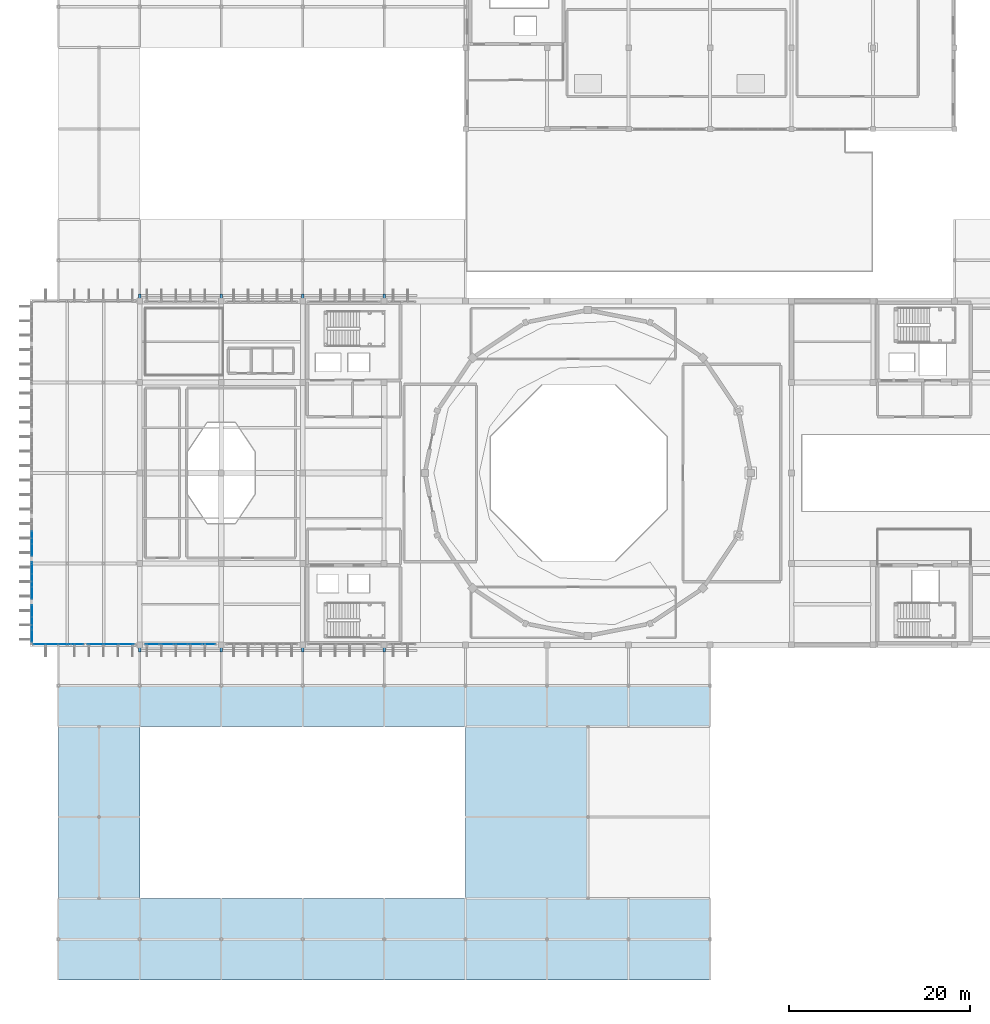
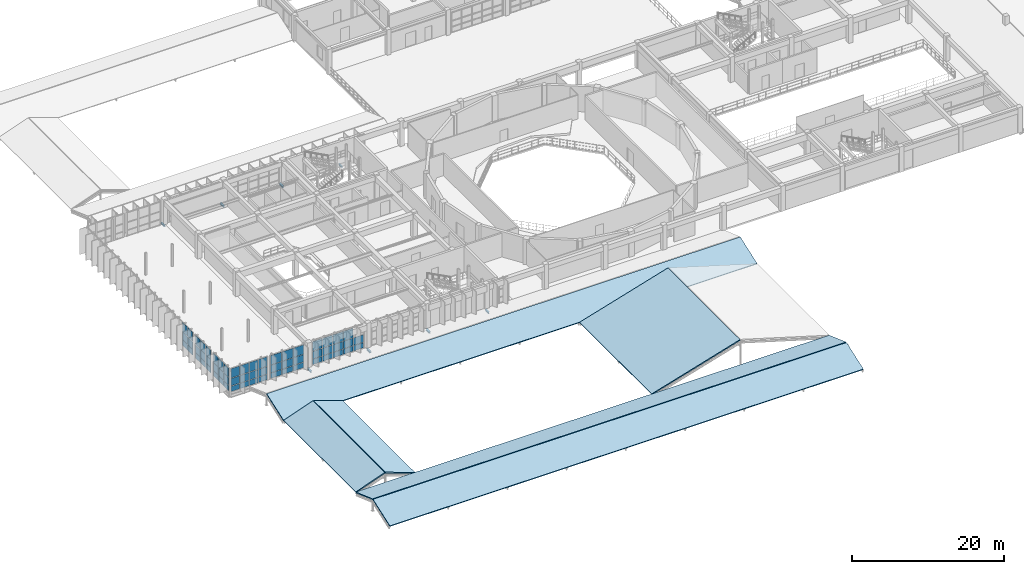
# One storey, part 60 of 80: 59 plates, 8 beams, 6 slabs, 6 elements without a shape of their own.
"""IFC4 building model written with IfcOpenShell, lengths in metres."""

from ifc_helpers import new_model, si_unit, direction, frame, origin, origin_2d, place, context, subcontext, project, spatial, polyline, rectangle, i_section, outline, extrude, material, layer, layer_set, material_profile, profile_set, type_object, element, aggregate, save


model = new_model("IFC4")

# Units and contexts
model_context = context("Model", 3, precision=1e-05, world=origin(), true_north=direction((0.0, 1.0)))
body_context = subcontext(model_context, "Body", "Model", "MODEL_VIEW")
ifc_project = project(units=[si_unit("LENGTHUNIT", "METRE"), si_unit("AREAUNIT", "SQUARE_METRE"), si_unit("VOLUMEUNIT", "CUBIC_METRE"), si_unit("PLANEANGLEUNIT", "RADIAN"), si_unit("MASSUNIT", "GRAM", prefix="KILO")], contexts=[model_context])

# Site, building, storey
site_placement = place(None, origin())
site = spatial("IfcSite", under=ifc_project, at=site_placement, CompositionType="ELEMENT")
building_placement = place(site_placement, origin())
building = spatial("IfcBuilding", under=site, at=building_placement, Name="Miravela Opera House", CompositionType="ELEMENT")
storey_placement = place(building_placement, frame((0.0, 0.0, 17.679931640625)))
storey = spatial("IfcBuildingStorey", under=building, at=storey_placement, Name="L04", CompositionType="ELEMENT", Elevation=17.679931640625)

# Beams
ifc_material_1 = material(Name="Structural steel ASTM A992 Gr. 50", Category="steel")
ifc_material_profile = material_profile(ifc_material_1, i_section(OverallWidth=0.25390625, OverallDepth=0.2529296875, WebThickness=0.008544921875, FlangeThickness=0.01416015625, FilletRadius=0.011962890625, at=origin_2d()), Name="W250X73")
ifc_profile_set = profile_set([ifc_material_profile])
beam_type = type_object("IfcBeamType", Name="STR-BM-W250X73", PredefinedType="JOIST", material=ifc_profile_set)
for number, where, z_axis, x_axis, name in (
    (1, (27.0, 74.85009765625, -0.366455078125), (0.0, 1.0, 0.0), (-1.0, 0.0, 0.0), "Facade Fin Outrigger Bracket L04 N1"),
    (2, (27.0, 37.14990234375, -0.366455078125), (0.0, -1.0, 0.0), (1.0, 0.0, 0.0), "Facade Fin Outrigger Bracket L04 S1"),
    (3, (36.0, 74.85009765625, -0.366455078125), (0.0, 1.0, 0.0), (-1.0, 0.0, 0.0), "Facade Fin Outrigger Bracket L04 N2"),
    (4, (36.0, 37.14990234375, -0.366455078125), (0.0, -1.0, 0.0), (1.0, 0.0, 0.0), "Facade Fin Outrigger Bracket L04 S2"),
    (5, (45.0, 74.85009765625, -0.366455078125), (0.0, 1.0, 0.0), (-1.0, 0.0, 0.0), "Facade Fin Outrigger Bracket L04 N3"),
    (6, (45.0, 37.14990234375, -0.366455078125), (0.0, -1.0, 0.0), (1.0, 0.0, 0.0), "Facade Fin Outrigger Bracket L04 S3"),
    (7, (54.0, 74.85009765625, -0.366455078125), (0.0, 1.0, 0.0), (-1.0, 0.0, 0.0), "Facade Fin Outrigger Bracket L04 N4"),
    (8, (54.0, 37.14990234375, -0.366455078125), (0.0, -1.0, 0.0), (1.0, 0.0, 0.0), "Facade Fin Outrigger Bracket L04 S4"),
):
    element("IfcBeam", number, at=place(storey_placement, frame(where, z_axis=z_axis, x_axis=x_axis)), inside=storey, type_object=beam_type, Name=name, PredefinedType="JOIST", context=body_context, shape_type="SweptSolid", body=[
        extrude(i_section(OverallWidth=0.25390625, OverallDepth=0.2529296875, WebThickness=0.008544921875, FlangeThickness=0.01416015625, FilletRadius=0.011962890625, at=origin_2d()), origin(), (0.0, 0.0, 1.0), 0.89990234375),
    ])

# Curtain wall, plates
ifc_material_2 = material(Name="Anodised architectural bronze aluminium 6063-T6", Category="aluminium")
curtain_wall_type = type_object("IfcCurtainWallType", Name="ARC-CW-02", PredefinedType="NOTDEFINED", material=ifc_material_2)
curtain_wall_1_placement = place(storey_placement, origin())
curtain_wall_1 = element("IfcCurtainWall", 9, at=curtain_wall_1_placement, inside=storey, type_object=curtain_wall_type, Name="Cantilever West Wrapper Glazing B1 CW-L04-027", PredefinedType="NOTDEFINED")
ifc_material_3 = material(Name="Triple-glazed acoustic laminated low-E glass", Category="glass")
ifc_layer_1 = layer(ifc_material_3, 0.035888671875)
ifc_layer_set_1 = layer_set([ifc_layer_1])
plate_type = type_object("IfcPlateType", Name="ARC-CWP-36", PredefinedType="CURTAIN_PANEL", material=ifc_layer_set_1)
plate_1_placement = place(storey_placement, frame((15.080078125, 37.99462890625, 0.06494140625), z_axis=(0.0, 0.0, 1.0), x_axis=(0.0, 1.0, 0.0)))
plate_1 = element("IfcPlate", 10, at=plate_1_placement, type_object=plate_type, Name="CW-02 panel 1.1", PredefinedType="CURTAIN_PANEL", context=body_context, shape_type="SweptSolid", body=[
    extrude(rectangle(XDim=1.299072265625, YDim=0.035888671875, at=origin_2d()), origin(), (0.0, 0.0, 1.0), 0.8525390625),
])
plate_2_placement = place(storey_placement, frame((15.080078125, 37.99462890625, 0.982421875), z_axis=(0.0, 0.0, 1.0), x_axis=(0.0, 1.0, 0.0)))
plate_2 = element("IfcPlate", 11, at=plate_2_placement, type_object=plate_type, Name="CW-02 panel 1.2", PredefinedType="CURTAIN_PANEL", context=body_context, shape_type="SweptSolid", body=[
    extrude(rectangle(XDim=1.299072265625, YDim=0.035888671875, at=origin_2d()), origin(), (0.0, 0.0, 1.0), 1.20068359375),
])
plate_3_placement = place(storey_placement, frame((15.080078125, 37.99462890625, 2.248291015625), z_axis=(0.0, 0.0, 1.0), x_axis=(0.0, 1.0, 0.0)))
plate_3 = element("IfcPlate", 12, at=plate_3_placement, type_object=plate_type, Name="CW-02 panel 1.3", PredefinedType="CURTAIN_PANEL", context=body_context, shape_type="SweptSolid", body=[
    extrude(rectangle(XDim=1.299072265625, YDim=0.035888671875, at=origin_2d()), origin(), (0.0, 0.0, 1.0), 1.5068359375),
])
plate_4_placement = place(storey_placement, frame((15.080078125, 39.375, 0.06494140625), z_axis=(0.0, 0.0, 1.0), x_axis=(0.0, 1.0, 0.0)))
plate_4 = element("IfcPlate", 13, at=plate_4_placement, type_object=plate_type, Name="CW-02 panel 2.1", PredefinedType="CURTAIN_PANEL", context=body_context, shape_type="SweptSolid", body=[
    extrude(rectangle(XDim=1.331787109375, YDim=0.035888671875, at=origin_2d()), origin(), (0.0, 0.0, 1.0), 0.8525390625),
])
plate_5_placement = place(storey_placement, frame((15.080078125, 39.375, 0.982421875), z_axis=(0.0, 0.0, 1.0), x_axis=(0.0, 1.0, 0.0)))
plate_5 = element("IfcPlate", 14, at=plate_5_placement, type_object=plate_type, Name="CW-02 panel 2.2", PredefinedType="CURTAIN_PANEL", context=body_context, shape_type="SweptSolid", body=[
    extrude(rectangle(XDim=1.331787109375, YDim=0.035888671875, at=origin_2d()), origin(), (0.0, 0.0, 1.0), 1.20068359375),
])
plate_6_placement = place(storey_placement, frame((15.080078125, 39.375, 2.248291015625), z_axis=(0.0, 0.0, 1.0), x_axis=(0.0, 1.0, 0.0)))
plate_6 = element("IfcPlate", 15, at=plate_6_placement, type_object=plate_type, Name="CW-02 panel 2.3", PredefinedType="CURTAIN_PANEL", context=body_context, shape_type="SweptSolid", body=[
    extrude(rectangle(XDim=1.331787109375, YDim=0.035888671875, at=origin_2d()), origin(), (0.0, 0.0, 1.0), 1.5068359375),
])
plate_7_placement = place(storey_placement, frame((15.080078125, 40.75537109375, 0.06494140625), z_axis=(0.0, 0.0, 1.0), x_axis=(0.0, 1.0, 0.0)))
plate_7 = element("IfcPlate", 16, at=plate_7_placement, type_object=plate_type, Name="CW-02 panel 3.1", PredefinedType="CURTAIN_PANEL", context=body_context, shape_type="SweptSolid", body=[
    extrude(rectangle(XDim=1.299072265625, YDim=0.035888671875, at=origin_2d()), origin(), (0.0, 0.0, 1.0), 0.8525390625),
])
plate_8_placement = place(storey_placement, frame((15.080078125, 40.75537109375, 0.982421875), z_axis=(0.0, 0.0, 1.0), x_axis=(0.0, 1.0, 0.0)))
plate_8 = element("IfcPlate", 17, at=plate_8_placement, type_object=plate_type, Name="CW-02 panel 3.2", PredefinedType="CURTAIN_PANEL", context=body_context, shape_type="SweptSolid", body=[
    extrude(rectangle(XDim=1.299072265625, YDim=0.035888671875, at=origin_2d()), origin(), (0.0, 0.0, 1.0), 1.20068359375),
])
plate_9_placement = place(storey_placement, frame((15.080078125, 40.75537109375, 2.248291015625), z_axis=(0.0, 0.0, 1.0), x_axis=(0.0, 1.0, 0.0)))
plate_9 = element("IfcPlate", 18, at=plate_9_placement, type_object=plate_type, Name="CW-02 panel 3.3", PredefinedType="CURTAIN_PANEL", context=body_context, shape_type="SweptSolid", body=[
    extrude(rectangle(XDim=1.299072265625, YDim=0.035888671875, at=origin_2d()), origin(), (0.0, 0.0, 1.0), 1.5068359375),
])
aggregate(curtain_wall_1, [plate_1, plate_2, plate_3, plate_4, plate_5, plate_6, plate_7, plate_8, plate_9])

curtain_wall_2_placement = place(storey_placement, origin())
curtain_wall_2 = element("IfcCurtainWall", 19, at=curtain_wall_2_placement, inside=storey, type_object=curtain_wall_type, Name="Cantilever West Wrapper Glazing B2 CW-L04-028", PredefinedType="NOTDEFINED")
plate_10_placement = place(storey_placement, frame((15.080078125, 42.74462890625, 0.06494140625), z_axis=(0.0, 0.0, 1.0), x_axis=(0.0, 1.0, 0.0)))
plate_10 = element("IfcPlate", 20, at=plate_10_placement, type_object=plate_type, Name="CW-02 panel 1.1", PredefinedType="CURTAIN_PANEL", context=body_context, shape_type="SweptSolid", body=[
    extrude(rectangle(XDim=1.299072265625, YDim=0.035888671875, at=origin_2d()), origin(), (0.0, 0.0, 1.0), 0.8525390625),
])
plate_11_placement = place(storey_placement, frame((15.080078125, 42.74462890625, 0.982421875), z_axis=(0.0, 0.0, 1.0), x_axis=(0.0, 1.0, 0.0)))
plate_11 = element("IfcPlate", 21, at=plate_11_placement, type_object=plate_type, Name="CW-02 panel 1.2", PredefinedType="CURTAIN_PANEL", context=body_context, shape_type="SweptSolid", body=[
    extrude(rectangle(XDim=1.299072265625, YDim=0.035888671875, at=origin_2d()), origin(), (0.0, 0.0, 1.0), 1.20068359375),
])
plate_12_placement = place(storey_placement, frame((15.080078125, 42.74462890625, 2.248291015625), z_axis=(0.0, 0.0, 1.0), x_axis=(0.0, 1.0, 0.0)))
plate_12 = element("IfcPlate", 22, at=plate_12_placement, type_object=plate_type, Name="CW-02 panel 1.3", PredefinedType="CURTAIN_PANEL", context=body_context, shape_type="SweptSolid", body=[
    extrude(rectangle(XDim=1.299072265625, YDim=0.035888671875, at=origin_2d()), origin(), (0.0, 0.0, 1.0), 1.5068359375),
])
plate_13_placement = place(storey_placement, frame((15.080078125, 44.125, 0.06494140625), z_axis=(0.0, 0.0, 1.0), x_axis=(0.0, 1.0, 0.0)))
plate_13 = element("IfcPlate", 23, at=plate_13_placement, type_object=plate_type, Name="CW-02 panel 2.1", PredefinedType="CURTAIN_PANEL", context=body_context, shape_type="SweptSolid", body=[
    extrude(rectangle(XDim=1.331787109375, YDim=0.035888671875, at=origin_2d()), origin(), (0.0, 0.0, 1.0), 0.8525390625),
])
plate_14_placement = place(storey_placement, frame((15.080078125, 44.125, 0.982421875), z_axis=(0.0, 0.0, 1.0), x_axis=(0.0, 1.0, 0.0)))
plate_14 = element("IfcPlate", 24, at=plate_14_placement, type_object=plate_type, Name="CW-02 panel 2.2", PredefinedType="CURTAIN_PANEL", context=body_context, shape_type="SweptSolid", body=[
    extrude(rectangle(XDim=1.331787109375, YDim=0.035888671875, at=origin_2d()), origin(), (0.0, 0.0, 1.0), 1.20068359375),
])
plate_15_placement = place(storey_placement, frame((15.080078125, 44.125, 2.248291015625), z_axis=(0.0, 0.0, 1.0), x_axis=(0.0, 1.0, 0.0)))
plate_15 = element("IfcPlate", 25, at=plate_15_placement, type_object=plate_type, Name="CW-02 panel 2.3", PredefinedType="CURTAIN_PANEL", context=body_context, shape_type="SweptSolid", body=[
    extrude(rectangle(XDim=1.331787109375, YDim=0.035888671875, at=origin_2d()), origin(), (0.0, 0.0, 1.0), 1.5068359375),
])
plate_16_placement = place(storey_placement, frame((15.080078125, 45.50537109375, 0.06494140625), z_axis=(0.0, 0.0, 1.0), x_axis=(0.0, 1.0, 0.0)))
plate_16 = element("IfcPlate", 26, at=plate_16_placement, type_object=plate_type, Name="CW-02 panel 3.1", PredefinedType="CURTAIN_PANEL", context=body_context, shape_type="SweptSolid", body=[
    extrude(rectangle(XDim=1.299072265625, YDim=0.035888671875, at=origin_2d()), origin(), (0.0, 0.0, 1.0), 0.8525390625),
])
plate_17_placement = place(storey_placement, frame((15.080078125, 45.50537109375, 0.982421875), z_axis=(0.0, 0.0, 1.0), x_axis=(0.0, 1.0, 0.0)))
plate_17 = element("IfcPlate", 27, at=plate_17_placement, type_object=plate_type, Name="CW-02 panel 3.2", PredefinedType="CURTAIN_PANEL", context=body_context, shape_type="SweptSolid", body=[
    extrude(rectangle(XDim=1.299072265625, YDim=0.035888671875, at=origin_2d()), origin(), (0.0, 0.0, 1.0), 1.20068359375),
])
plate_18_placement = place(storey_placement, frame((15.080078125, 45.50537109375, 2.248291015625), z_axis=(0.0, 0.0, 1.0), x_axis=(0.0, 1.0, 0.0)))
plate_18 = element("IfcPlate", 28, at=plate_18_placement, type_object=plate_type, Name="CW-02 panel 3.3", PredefinedType="CURTAIN_PANEL", context=body_context, shape_type="SweptSolid", body=[
    extrude(rectangle(XDim=1.299072265625, YDim=0.035888671875, at=origin_2d()), origin(), (0.0, 0.0, 1.0), 1.5068359375),
])
aggregate(curtain_wall_2, [plate_10, plate_11, plate_12, plate_13, plate_14, plate_15, plate_16, plate_17, plate_18])

curtain_wall_3_placement = place(storey_placement, origin())
curtain_wall_3 = element("IfcCurtainWall", 29, at=curtain_wall_3_placement, inside=storey, type_object=curtain_wall_type, Name="Cantilever West Wrapper Glazing B3 CW-L04-029", PredefinedType="NOTDEFINED")
plate_19_placement = place(storey_placement, frame((15.080078125, 47.49462890625, 0.06494140625), z_axis=(0.0, 0.0, 1.0), x_axis=(0.0, 1.0, 0.0)))
plate_19 = element("IfcPlate", 30, at=plate_19_placement, type_object=plate_type, Name="CW-02 panel 1.1", PredefinedType="CURTAIN_PANEL", context=body_context, shape_type="SweptSolid", body=[
    extrude(rectangle(XDim=1.299072265625, YDim=0.035888671875, at=origin_2d()), origin(), (0.0, 0.0, 1.0), 0.8525390625),
])
plate_20_placement = place(storey_placement, frame((15.080078125, 47.49462890625, 0.982421875), z_axis=(0.0, 0.0, 1.0), x_axis=(0.0, 1.0, 0.0)))
plate_20 = element("IfcPlate", 31, at=plate_20_placement, type_object=plate_type, Name="CW-02 panel 1.2", PredefinedType="CURTAIN_PANEL", context=body_context, shape_type="SweptSolid", body=[
    extrude(rectangle(XDim=1.299072265625, YDim=0.035888671875, at=origin_2d()), origin(), (0.0, 0.0, 1.0), 1.20068359375),
])
plate_21_placement = place(storey_placement, frame((15.080078125, 47.49462890625, 2.248291015625), z_axis=(0.0, 0.0, 1.0), x_axis=(0.0, 1.0, 0.0)))
plate_21 = element("IfcPlate", 32, at=plate_21_placement, type_object=plate_type, Name="CW-02 panel 1.3", PredefinedType="CURTAIN_PANEL", context=body_context, shape_type="SweptSolid", body=[
    extrude(rectangle(XDim=1.299072265625, YDim=0.035888671875, at=origin_2d()), origin(), (0.0, 0.0, 1.0), 1.5068359375),
])
plate_22_placement = place(storey_placement, frame((15.080078125, 48.875, 0.06494140625), z_axis=(0.0, 0.0, 1.0), x_axis=(0.0, 1.0, 0.0)))
plate_22 = element("IfcPlate", 33, at=plate_22_placement, type_object=plate_type, Name="CW-02 panel 2.1", PredefinedType="CURTAIN_PANEL", context=body_context, shape_type="SweptSolid", body=[
    extrude(rectangle(XDim=1.331787109375, YDim=0.035888671875, at=origin_2d()), origin(), (0.0, 0.0, 1.0), 0.8525390625),
])
plate_23_placement = place(storey_placement, frame((15.080078125, 48.875, 0.982421875), z_axis=(0.0, 0.0, 1.0), x_axis=(0.0, 1.0, 0.0)))
plate_23 = element("IfcPlate", 34, at=plate_23_placement, type_object=plate_type, Name="CW-02 panel 2.2", PredefinedType="CURTAIN_PANEL", context=body_context, shape_type="SweptSolid", body=[
    extrude(rectangle(XDim=1.331787109375, YDim=0.035888671875, at=origin_2d()), origin(), (0.0, 0.0, 1.0), 1.20068359375),
])
plate_24_placement = place(storey_placement, frame((15.080078125, 48.875, 2.248291015625), z_axis=(0.0, 0.0, 1.0), x_axis=(0.0, 1.0, 0.0)))
plate_24 = element("IfcPlate", 35, at=plate_24_placement, type_object=plate_type, Name="CW-02 panel 2.3", PredefinedType="CURTAIN_PANEL", context=body_context, shape_type="SweptSolid", body=[
    extrude(rectangle(XDim=1.331787109375, YDim=0.035888671875, at=origin_2d()), origin(), (0.0, 0.0, 1.0), 1.5068359375),
])
aggregate(curtain_wall_3, [plate_19, plate_20, plate_21, plate_22, plate_23, plate_24])

curtain_wall_4_placement = place(storey_placement, origin())
curtain_wall_4 = element("IfcCurtainWall", 36, at=curtain_wall_4_placement, inside=storey, type_object=curtain_wall_type, Name="Auditorium South Wrapper Glazing CW-L04-036", PredefinedType="NOTDEFINED")
plate_25_placement = place(storey_placement, frame((15.916259765625, 37.080078125, 0.06494140625), z_axis=(0.0, 0.0, 1.0), x_axis=(1.0, 0.0, 0.0)))
plate_25 = element("IfcPlate", 37, at=plate_25_placement, type_object=plate_type, Name="CW-02 panel 1.1", PredefinedType="CURTAIN_PANEL", context=body_context, shape_type="SweptSolid", body=[
    extrude(rectangle(XDim=1.302490234375, YDim=0.035888671875, at=origin_2d()), origin(), (0.0, 0.0, 1.0), 0.8525390625),
])
plate_26_placement = place(storey_placement, frame((15.916259765625, 37.080078125, 0.982421875), z_axis=(0.0, 0.0, 1.0), x_axis=(1.0, 0.0, 0.0)))
plate_26 = element("IfcPlate", 38, at=plate_26_placement, type_object=plate_type, Name="CW-02 panel 1.2", PredefinedType="CURTAIN_PANEL", context=body_context, shape_type="SweptSolid", body=[
    extrude(rectangle(XDim=1.302490234375, YDim=0.035888671875, at=origin_2d()), origin(), (0.0, 0.0, 1.0), 1.20068359375),
])
plate_27_placement = place(storey_placement, frame((15.916259765625, 37.080078125, 2.248291015625), z_axis=(0.0, 0.0, 1.0), x_axis=(1.0, 0.0, 0.0)))
plate_27 = element("IfcPlate", 39, at=plate_27_placement, type_object=plate_type, Name="CW-02 panel 1.3", PredefinedType="CURTAIN_PANEL", context=body_context, shape_type="SweptSolid", body=[
    extrude(rectangle(XDim=1.302490234375, YDim=0.035888671875, at=origin_2d()), origin(), (0.0, 0.0, 1.0), 1.5068359375),
])
plate_28_placement = place(storey_placement, frame((17.300048828125, 37.080078125, 0.06494140625), z_axis=(0.0, 0.0, 1.0), x_axis=(1.0, 0.0, 0.0)))
plate_28 = element("IfcPlate", 40, at=plate_28_placement, type_object=plate_type, Name="CW-02 panel 2.1", PredefinedType="CURTAIN_PANEL", context=body_context, shape_type="SweptSolid", body=[
    extrude(rectangle(XDim=1.3349609375, YDim=0.035888671875, at=origin_2d()), origin(), (0.0, 0.0, 1.0), 0.8525390625),
])
plate_29_placement = place(storey_placement, frame((17.300048828125, 37.080078125, 0.982421875), z_axis=(0.0, 0.0, 1.0), x_axis=(1.0, 0.0, 0.0)))
plate_29 = element("IfcPlate", 41, at=plate_29_placement, type_object=plate_type, Name="CW-02 panel 2.2", PredefinedType="CURTAIN_PANEL", context=body_context, shape_type="SweptSolid", body=[
    extrude(rectangle(XDim=1.3349609375, YDim=0.035888671875, at=origin_2d()), origin(), (0.0, 0.0, 1.0), 1.20068359375),
])
plate_30_placement = place(storey_placement, frame((17.300048828125, 37.080078125, 2.248291015625), z_axis=(0.0, 0.0, 1.0), x_axis=(1.0, 0.0, 0.0)))
plate_30 = element("IfcPlate", 42, at=plate_30_placement, type_object=plate_type, Name="CW-02 panel 2.3", PredefinedType="CURTAIN_PANEL", context=body_context, shape_type="SweptSolid", body=[
    extrude(rectangle(XDim=1.3349609375, YDim=0.035888671875, at=origin_2d()), origin(), (0.0, 0.0, 1.0), 1.5068359375),
])
plate_31_placement = place(storey_placement, frame((18.699951171875, 37.080078125, 0.06494140625), z_axis=(0.0, 0.0, 1.0), x_axis=(1.0, 0.0, 0.0)))
plate_31 = element("IfcPlate", 43, at=plate_31_placement, type_object=plate_type, Name="CW-02 panel 3.1", PredefinedType="CURTAIN_PANEL", context=body_context, shape_type="SweptSolid", body=[
    extrude(rectangle(XDim=1.3349609375, YDim=0.035888671875, at=origin_2d()), origin(), (0.0, 0.0, 1.0), 0.8525390625),
])
plate_32_placement = place(storey_placement, frame((18.699951171875, 37.080078125, 0.982421875), z_axis=(0.0, 0.0, 1.0), x_axis=(1.0, 0.0, 0.0)))
plate_32 = element("IfcPlate", 44, at=plate_32_placement, type_object=plate_type, Name="CW-02 panel 3.2", PredefinedType="CURTAIN_PANEL", context=body_context, shape_type="SweptSolid", body=[
    extrude(rectangle(XDim=1.3349609375, YDim=0.035888671875, at=origin_2d()), origin(), (0.0, 0.0, 1.0), 1.20068359375),
])
plate_33_placement = place(storey_placement, frame((18.699951171875, 37.080078125, 2.248291015625), z_axis=(0.0, 0.0, 1.0), x_axis=(1.0, 0.0, 0.0)))
plate_33 = element("IfcPlate", 45, at=plate_33_placement, type_object=plate_type, Name="CW-02 panel 3.3", PredefinedType="CURTAIN_PANEL", context=body_context, shape_type="SweptSolid", body=[
    extrude(rectangle(XDim=1.3349609375, YDim=0.035888671875, at=origin_2d()), origin(), (0.0, 0.0, 1.0), 1.5068359375),
])
plate_34_placement = place(storey_placement, frame((20.083740234375, 37.080078125, 0.06494140625), z_axis=(0.0, 0.0, 1.0), x_axis=(1.0, 0.0, 0.0)))
plate_34 = element("IfcPlate", 46, at=plate_34_placement, type_object=plate_type, Name="CW-02 panel 4.1", PredefinedType="CURTAIN_PANEL", context=body_context, shape_type="SweptSolid", body=[
    extrude(rectangle(XDim=1.302490234375, YDim=0.035888671875, at=origin_2d()), origin(), (0.0, 0.0, 1.0), 0.8525390625),
])
plate_35_placement = place(storey_placement, frame((20.083740234375, 37.080078125, 0.982421875), z_axis=(0.0, 0.0, 1.0), x_axis=(1.0, 0.0, 0.0)))
plate_35 = element("IfcPlate", 47, at=plate_35_placement, type_object=plate_type, Name="CW-02 panel 4.2", PredefinedType="CURTAIN_PANEL", context=body_context, shape_type="SweptSolid", body=[
    extrude(rectangle(XDim=1.302490234375, YDim=0.035888671875, at=origin_2d()), origin(), (0.0, 0.0, 1.0), 1.20068359375),
])
plate_36_placement = place(storey_placement, frame((20.083740234375, 37.080078125, 2.248291015625), z_axis=(0.0, 0.0, 1.0), x_axis=(1.0, 0.0, 0.0)))
plate_36 = element("IfcPlate", 48, at=plate_36_placement, type_object=plate_type, Name="CW-02 panel 4.3", PredefinedType="CURTAIN_PANEL", context=body_context, shape_type="SweptSolid", body=[
    extrude(rectangle(XDim=1.302490234375, YDim=0.035888671875, at=origin_2d()), origin(), (0.0, 0.0, 1.0), 1.5068359375),
])
aggregate(curtain_wall_4, [plate_25, plate_26, plate_27, plate_28, plate_29, plate_30, plate_31, plate_32, plate_33, plate_34, plate_35, plate_36])

curtain_wall_5_placement = place(storey_placement, origin())
curtain_wall_5 = element("IfcCurtainWall", 49, at=curtain_wall_5_placement, inside=storey, type_object=curtain_wall_type, Name="Auditorium South Wrapper Glazing CW-L04-038", PredefinedType="NOTDEFINED")
plate_37_placement = place(storey_placement, frame((22.086181640625, 37.080078125, 0.06494140625), z_axis=(0.0, 0.0, 1.0), x_axis=(1.0, 0.0, 0.0)))
plate_37 = element("IfcPlate", 50, at=plate_37_placement, type_object=plate_type, Name="CW-02 panel 1.1", PredefinedType="CURTAIN_PANEL", context=body_context, shape_type="SweptSolid", body=[
    extrude(rectangle(XDim=1.642578125, YDim=0.035888671875, at=origin_2d()), origin(), (0.0, 0.0, 1.0), 0.8525390625),
])
plate_38_placement = place(storey_placement, frame((22.086181640625, 37.080078125, 0.982421875), z_axis=(0.0, 0.0, 1.0), x_axis=(1.0, 0.0, 0.0)))
plate_38 = element("IfcPlate", 51, at=plate_38_placement, type_object=plate_type, Name="CW-02 panel 1.2", PredefinedType="CURTAIN_PANEL", context=body_context, shape_type="SweptSolid", body=[
    extrude(rectangle(XDim=1.642578125, YDim=0.035888671875, at=origin_2d()), origin(), (0.0, 0.0, 1.0), 1.20068359375),
])
plate_39_placement = place(storey_placement, frame((22.086181640625, 37.080078125, 2.248291015625), z_axis=(0.0, 0.0, 1.0), x_axis=(1.0, 0.0, 0.0)))
plate_39 = element("IfcPlate", 52, at=plate_39_placement, type_object=plate_type, Name="CW-02 panel 1.3", PredefinedType="CURTAIN_PANEL", context=body_context, shape_type="SweptSolid", body=[
    extrude(rectangle(XDim=1.642578125, YDim=0.035888671875, at=origin_2d()), origin(), (0.0, 0.0, 1.0), 1.5068359375),
])
plate_40_placement = place(storey_placement, frame((23.81005859375, 37.080078125, 0.06494140625), z_axis=(0.0, 0.0, 1.0), x_axis=(1.0, 0.0, 0.0)))
plate_40 = element("IfcPlate", 53, at=plate_40_placement, type_object=plate_type, Name="CW-02 panel 2.1", PredefinedType="CURTAIN_PANEL", context=body_context, shape_type="SweptSolid", body=[
    extrude(rectangle(XDim=1.675048828125, YDim=0.035888671875, at=origin_2d()), origin(), (0.0, 0.0, 1.0), 0.8525390625),
])
plate_41_placement = place(storey_placement, frame((23.81005859375, 37.080078125, 0.982421875), z_axis=(0.0, 0.0, 1.0), x_axis=(1.0, 0.0, 0.0)))
plate_41 = element("IfcPlate", 54, at=plate_41_placement, type_object=plate_type, Name="CW-02 panel 2.2", PredefinedType="CURTAIN_PANEL", context=body_context, shape_type="SweptSolid", body=[
    extrude(rectangle(XDim=1.675048828125, YDim=0.035888671875, at=origin_2d()), origin(), (0.0, 0.0, 1.0), 1.20068359375),
])
plate_42_placement = place(storey_placement, frame((23.81005859375, 37.080078125, 2.248291015625), z_axis=(0.0, 0.0, 1.0), x_axis=(1.0, 0.0, 0.0)))
plate_42 = element("IfcPlate", 55, at=plate_42_placement, type_object=plate_type, Name="CW-02 panel 2.3", PredefinedType="CURTAIN_PANEL", context=body_context, shape_type="SweptSolid", body=[
    extrude(rectangle(XDim=1.675048828125, YDim=0.035888671875, at=origin_2d()), origin(), (0.0, 0.0, 1.0), 1.5068359375),
])
plate_43_placement = place(storey_placement, frame((25.53369140625, 37.080078125, 0.06494140625), z_axis=(0.0, 0.0, 1.0), x_axis=(1.0, 0.0, 0.0)))
plate_43 = element("IfcPlate", 56, at=plate_43_placement, type_object=plate_type, Name="CW-02 panel 3.1", PredefinedType="CURTAIN_PANEL", context=body_context, shape_type="SweptSolid", body=[
    extrude(rectangle(XDim=1.642578125, YDim=0.035888671875, at=origin_2d()), origin(), (0.0, 0.0, 1.0), 0.8525390625),
])
plate_44_placement = place(storey_placement, frame((25.53369140625, 37.080078125, 0.982421875), z_axis=(0.0, 0.0, 1.0), x_axis=(1.0, 0.0, 0.0)))
plate_44 = element("IfcPlate", 57, at=plate_44_placement, type_object=plate_type, Name="CW-02 panel 3.2", PredefinedType="CURTAIN_PANEL", context=body_context, shape_type="SweptSolid", body=[
    extrude(rectangle(XDim=1.642578125, YDim=0.035888671875, at=origin_2d()), origin(), (0.0, 0.0, 1.0), 1.20068359375),
])
plate_45_placement = place(storey_placement, frame((25.53369140625, 37.080078125, 2.248291015625), z_axis=(0.0, 0.0, 1.0), x_axis=(1.0, 0.0, 0.0)))
plate_45 = element("IfcPlate", 58, at=plate_45_placement, type_object=plate_type, Name="CW-02 panel 3.3", PredefinedType="CURTAIN_PANEL", context=body_context, shape_type="SweptSolid", body=[
    extrude(rectangle(XDim=1.642578125, YDim=0.035888671875, at=origin_2d()), origin(), (0.0, 0.0, 1.0), 1.5068359375),
])
aggregate(curtain_wall_5, [plate_37, plate_38, plate_39, plate_40, plate_41, plate_42, plate_43, plate_44, plate_45])

curtain_wall_6_placement = place(storey_placement, origin())
curtain_wall_6 = element("IfcCurtainWall", 59, at=curtain_wall_6_placement, inside=storey, type_object=curtain_wall_type, Name="Auditorium South Wrapper Glazing CW-L04-040", PredefinedType="NOTDEFINED")
plate_46_placement = place(storey_placement, frame((28.38037109375, 37.080078125, 0.06494140625), z_axis=(0.0, 0.0, 1.0), x_axis=(1.0, 0.0, 0.0)))
plate_46 = element("IfcPlate", 60, at=plate_46_placement, type_object=plate_type, Name="CW-02 panel 1.1", PredefinedType="CURTAIN_PANEL", context=body_context, shape_type="SweptSolid", body=[
    extrude(rectangle(XDim=1.470458984375, YDim=0.035888671875, at=origin_2d()), origin(), (0.0, 0.0, 1.0), 0.8525390625),
])
plate_47_placement = place(storey_placement, frame((28.38037109375, 37.080078125, 0.982421875), z_axis=(0.0, 0.0, 1.0), x_axis=(1.0, 0.0, 0.0)))
plate_47 = element("IfcPlate", 61, at=plate_47_placement, type_object=plate_type, Name="CW-02 panel 1.2", PredefinedType="CURTAIN_PANEL", context=body_context, shape_type="SweptSolid", body=[
    extrude(rectangle(XDim=1.470458984375, YDim=0.035888671875, at=origin_2d()), origin(), (0.0, 0.0, 1.0), 1.20068359375),
])
plate_48_placement = place(storey_placement, frame((28.38037109375, 37.080078125, 2.248291015625), z_axis=(0.0, 0.0, 1.0), x_axis=(1.0, 0.0, 0.0)))
plate_48 = element("IfcPlate", 62, at=plate_48_placement, type_object=plate_type, Name="CW-02 panel 1.3", PredefinedType="CURTAIN_PANEL", context=body_context, shape_type="SweptSolid", body=[
    extrude(rectangle(XDim=1.470458984375, YDim=0.035888671875, at=origin_2d()), origin(), (0.0, 0.0, 1.0), 1.5068359375),
])
plate_49_placement = place(storey_placement, frame((29.931884765625, 37.080078125, 0.06494140625), z_axis=(0.0, 0.0, 1.0), x_axis=(1.0, 0.0, 0.0)))
plate_49 = element("IfcPlate", 63, at=plate_49_placement, type_object=plate_type, Name="CW-02 panel 2.1", PredefinedType="CURTAIN_PANEL", context=body_context, shape_type="SweptSolid", body=[
    extrude(rectangle(XDim=1.5029296875, YDim=0.035888671875, at=origin_2d()), origin(), (0.0, 0.0, 1.0), 0.8525390625),
])
plate_50_placement = place(storey_placement, frame((29.931884765625, 37.080078125, 0.982421875), z_axis=(0.0, 0.0, 1.0), x_axis=(1.0, 0.0, 0.0)))
plate_50 = element("IfcPlate", 64, at=plate_50_placement, type_object=plate_type, Name="CW-02 panel 2.2", PredefinedType="CURTAIN_PANEL", context=body_context, shape_type="SweptSolid", body=[
    extrude(rectangle(XDim=1.5029296875, YDim=0.035888671875, at=origin_2d()), origin(), (0.0, 0.0, 1.0), 1.20068359375),
])
plate_51_placement = place(storey_placement, frame((29.931884765625, 37.080078125, 2.248291015625), z_axis=(0.0, 0.0, 1.0), x_axis=(1.0, 0.0, 0.0)))
plate_51 = element("IfcPlate", 65, at=plate_51_placement, type_object=plate_type, Name="CW-02 panel 2.3", PredefinedType="CURTAIN_PANEL", context=body_context, shape_type="SweptSolid", body=[
    extrude(rectangle(XDim=1.5029296875, YDim=0.035888671875, at=origin_2d()), origin(), (0.0, 0.0, 1.0), 1.5068359375),
])
plate_52_placement = place(storey_placement, frame((31.5, 37.080078125, 0.06494140625), z_axis=(0.0, 0.0, 1.0), x_axis=(1.0, 0.0, 0.0)))
plate_52 = element("IfcPlate", 66, at=plate_52_placement, type_object=plate_type, Name="CW-02 panel 3.1", PredefinedType="CURTAIN_PANEL", context=body_context, shape_type="SweptSolid", body=[
    extrude(rectangle(XDim=1.5029296875, YDim=0.035888671875, at=origin_2d()), origin(), (0.0, 0.0, 1.0), 0.8525390625),
])
plate_53_placement = place(storey_placement, frame((31.5, 37.080078125, 0.982421875), z_axis=(0.0, 0.0, 1.0), x_axis=(1.0, 0.0, 0.0)))
plate_53 = element("IfcPlate", 67, at=plate_53_placement, type_object=plate_type, Name="CW-02 panel 3.2", PredefinedType="CURTAIN_PANEL", context=body_context, shape_type="SweptSolid", body=[
    extrude(rectangle(XDim=1.5029296875, YDim=0.035888671875, at=origin_2d()), origin(), (0.0, 0.0, 1.0), 1.20068359375),
])
plate_54_placement = place(storey_placement, frame((31.5, 37.080078125, 2.248291015625), z_axis=(0.0, 0.0, 1.0), x_axis=(1.0, 0.0, 0.0)))
plate_54 = element("IfcPlate", 68, at=plate_54_placement, type_object=plate_type, Name="CW-02 panel 3.3", PredefinedType="CURTAIN_PANEL", context=body_context, shape_type="SweptSolid", body=[
    extrude(rectangle(XDim=1.5029296875, YDim=0.035888671875, at=origin_2d()), origin(), (0.0, 0.0, 1.0), 1.5068359375),
])
plate_55_placement = place(storey_placement, frame((33.068115234375, 37.080078125, 0.06494140625), z_axis=(0.0, 0.0, 1.0), x_axis=(1.0, 0.0, 0.0)))
plate_55 = element("IfcPlate", 69, at=plate_55_placement, type_object=plate_type, Name="CW-02 panel 4.1", PredefinedType="CURTAIN_PANEL", context=body_context, shape_type="SweptSolid", body=[
    extrude(rectangle(XDim=1.5029296875, YDim=0.035888671875, at=origin_2d()), origin(), (0.0, 0.0, 1.0), 0.8525390625),
])
plate_56_placement = place(storey_placement, frame((33.068115234375, 37.080078125, 0.982421875), z_axis=(0.0, 0.0, 1.0), x_axis=(1.0, 0.0, 0.0)))
plate_56 = element("IfcPlate", 70, at=plate_56_placement, type_object=plate_type, Name="CW-02 panel 4.2", PredefinedType="CURTAIN_PANEL", context=body_context, shape_type="SweptSolid", body=[
    extrude(rectangle(XDim=1.5029296875, YDim=0.035888671875, at=origin_2d()), origin(), (0.0, 0.0, 1.0), 1.20068359375),
])
plate_57_placement = place(storey_placement, frame((33.068115234375, 37.080078125, 2.248291015625), z_axis=(0.0, 0.0, 1.0), x_axis=(1.0, 0.0, 0.0)))
plate_57 = element("IfcPlate", 71, at=plate_57_placement, type_object=plate_type, Name="CW-02 panel 4.3", PredefinedType="CURTAIN_PANEL", context=body_context, shape_type="SweptSolid", body=[
    extrude(rectangle(XDim=1.5029296875, YDim=0.035888671875, at=origin_2d()), origin(), (0.0, 0.0, 1.0), 1.5068359375),
])
plate_58_placement = place(storey_placement, frame((34.61962890625, 37.080078125, 0.06494140625), z_axis=(0.0, 0.0, 1.0), x_axis=(1.0, 0.0, 0.0)))
plate_58 = element("IfcPlate", 72, at=plate_58_placement, type_object=plate_type, Name="CW-02 panel 5.1", PredefinedType="CURTAIN_PANEL", context=body_context, shape_type="SweptSolid", body=[
    extrude(rectangle(XDim=1.470458984375, YDim=0.035888671875, at=origin_2d()), origin(), (0.0, 0.0, 1.0), 0.8525390625),
])
plate_59_placement = place(storey_placement, frame((34.61962890625, 37.080078125, 0.982421875), z_axis=(0.0, 0.0, 1.0), x_axis=(1.0, 0.0, 0.0)))
plate_59 = element("IfcPlate", 73, at=plate_59_placement, type_object=plate_type, Name="CW-02 panel 5.2", PredefinedType="CURTAIN_PANEL", context=body_context, shape_type="SweptSolid", body=[
    extrude(rectangle(XDim=1.470458984375, YDim=0.035888671875, at=origin_2d()), origin(), (0.0, 0.0, 1.0), 1.20068359375),
])
aggregate(curtain_wall_6, [plate_46, plate_47, plate_48, plate_49, plate_50, plate_51, plate_52, plate_53, plate_54, plate_55, plate_56, plate_57, plate_58, plate_59])

# Slabs
ifc_material_4 = material(Name="Concrete C35/45", Category="concrete")
ifc_layer_2 = layer(ifc_material_4, 0.169921875)
ifc_layer_set_2 = layer_set([ifc_layer_2])
slab_type = type_object("IfcSlabType", Name="STR-ROOF-TILE-170", PredefinedType="ROOF", material=ifc_layer_set_2)
for number, where, z_axis, x_axis, name in (
    (74, (18.0, 28.0, 0.0), (0.0, -0.33502804432, 0.942208156152), (1.0, 0.0, 0.0), "Pitched Clay Barrel-Tile Roof Slab ROOF-V4-WEST-N Slope 1"),
    (75, (18.0, 0.0, 0.0), (0.0, -0.33502804432, 0.942208156152), (1.0, 0.0, 0.0), "Pitched Clay Barrel-Tile Roof Slab ROOF-V4-WEST-S Slope 1"),
    (76, (90.0, 9.0, 0.0), (0.0, 0.33502804432, 0.942208156152), (-1.0, 0.0, 0.0), "Pitched Clay Barrel-Tile Roof Slab ROOF-V4-WEST-S Slope 2"),
):
    element("IfcSlab", number, at=place(storey_placement, frame(where, z_axis=z_axis, x_axis=x_axis)), inside=storey, type_object=slab_type, Name=name, PredefinedType="ROOF", context=body_context, shape_type="SweptSolid", body=[
        extrude(outline(polyline([(0.0, 0.0), (72.0, 0.0), (72.0, 4.717713734859587), (0.0, 4.717713734859587), (0.0, 0.0)])), origin(), (0.0, 0.0, -1.0), 0.169921875),
    ])
for number, where, z_axis, x_axis, name in (
    (77, (18.0, 9.0, 0.0), (-0.33502804432, 0.0, 0.942208156152), (0.0, 1.0, 0.0), "Pitched Clay Barrel-Tile Roof Slab ROOF-V4-WEST-M Slope 1"),
    (78, (27.0, 28.0, 0.0), (0.33502804432, 0.0, 0.942208156152), (0.0, -1.0, 0.0), "Pitched Clay Barrel-Tile Roof Slab ROOF-V4-WEST-M Slope 2"),
):
    element("IfcSlab", number, at=place(storey_placement, frame(where, z_axis=z_axis, x_axis=x_axis)), inside=storey, type_object=slab_type, Name=name, PredefinedType="ROOF", context=body_context, shape_type="SweptSolid", body=[
        extrude(outline(polyline([(0.0, 0.0), (19.0, 0.0), (19.0, -4.717713734859587), (0.0, -4.717713734859587), (0.0, 0.0)])), origin(), (0.0, 0.0, -1.0), 0.169921875),
    ])
slab_placement = place(storey_placement, frame((63.0, 9.0, 0.0), z_axis=(-0.287343098609, 0.0, 0.957827721295), x_axis=(0.0, 1.0, 0.0)))
element("IfcSlab", 79, at=slab_placement, inside=storey, type_object=slab_type, Name="Pitched Clay Barrel-Tile Roof Slab ROOF-V4-MID Slope 1", PredefinedType="ROOF", context=body_context, shape_type="SweptSolid", body=[
    extrude(outline(polyline([(0.0, 0.0), (19.0, 0.0), (19.0, -14.0370424247006), (0.0, -14.0370424247006), (0.0, 0.0)])), origin(), (0.0, 0.0, -1.0), 0.169921875),
])

save(model, "model.ifc")
